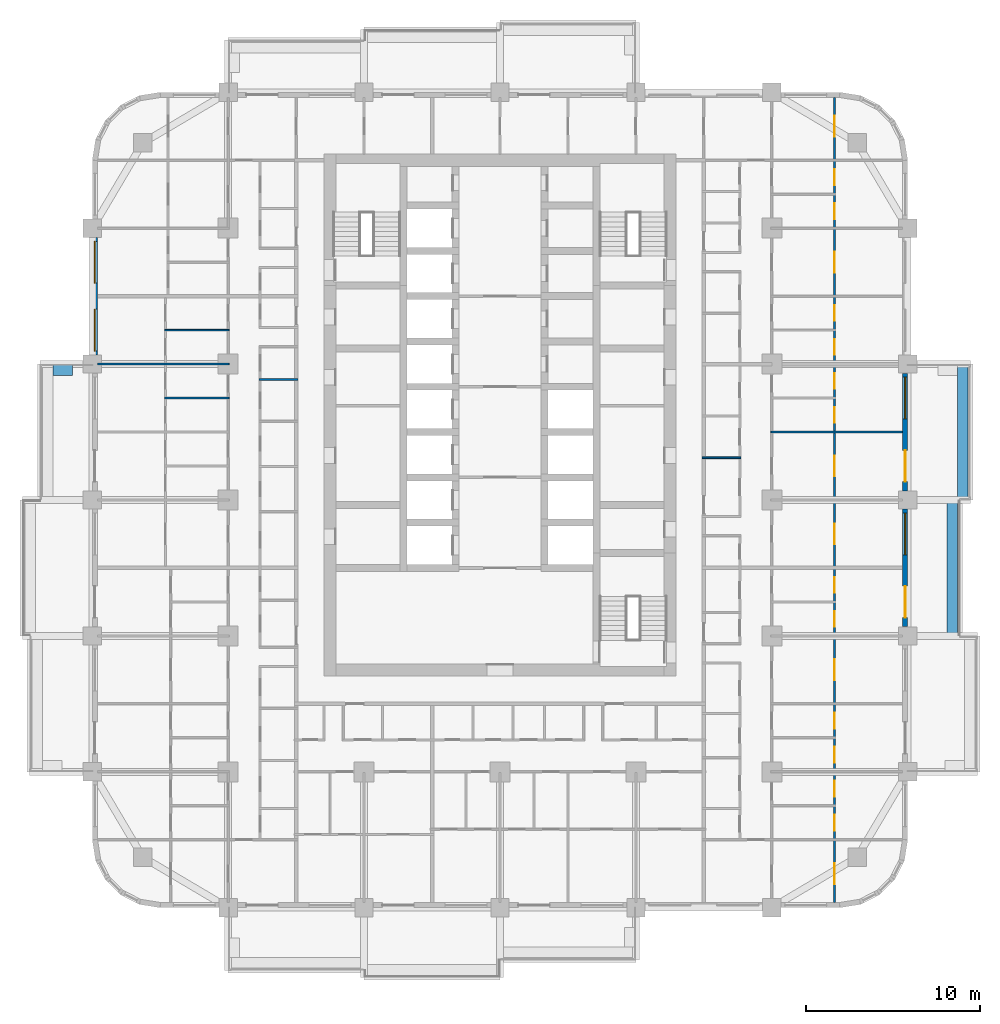
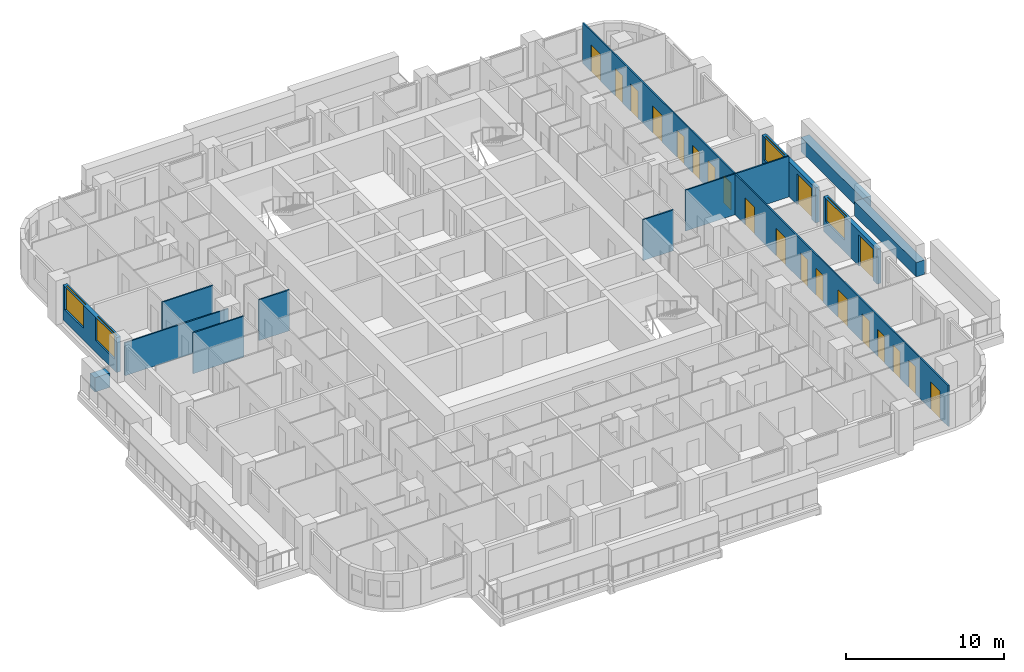
# One storey, part 9 of 17: 20 doors, 13 walls, 4 windows, 24 openings.
"""IFC4 building model written with IfcOpenShell, lengths in metres."""

from ifc_helpers import new_model, si_unit, direction, frame, frame_2d, origin, place, context, subcontext, project, spatial, rectangle, extrude, material, layer, layer_set, type_object, element, fill, save


model = new_model("IFC4")

# Units and contexts
model_context = context("Model", 3, precision=1e-05, world=origin(), true_north=direction((0.0, 1.0)))
body_context = subcontext(model_context, "Body", "Model", "MODEL_VIEW")
ifc_project = project(units=[si_unit("LENGTHUNIT", "METRE"), si_unit("AREAUNIT", "SQUARE_METRE"), si_unit("VOLUMEUNIT", "CUBIC_METRE"), si_unit("PLANEANGLEUNIT", "RADIAN"), si_unit("MASSUNIT", "GRAM", prefix="KILO")], contexts=[model_context])

# Site, building, storey
site_placement = place(None, origin())
site = spatial("IfcSite", under=ifc_project, at=site_placement, CompositionType="ELEMENT")
building_placement = place(site_placement, origin())
building = spatial("IfcBuilding", under=site, at=building_placement, Name="Ludao Terraces", CompositionType="ELEMENT")
storey_placement = place(building_placement, frame((0.0, 0.0, 54.60009765625)))
storey = spatial("IfcBuildingStorey", under=building, at=storey_placement, Name="L14", CompositionType="ELEMENT", Elevation=54.60009765625)

# Walls
ifc_material_1 = material(Name="Concrete C40", Category="concrete")
ifc_layer_1 = layer(ifc_material_1, 0.60009765625)
ifc_layer_set_1 = layer_set([ifc_layer_1], Name="ENV Planter trough 600")
wall_type_1 = type_object("IfcWallType", Name="ENV Planter trough 600", PredefinedType="USERDEFINED", material=ifc_layer_set_1)
for number, where, z_axis, x_axis, name in (
    (1, (110.949951171875, 57.199951171875, 0.0), (0.0, 0.0, 1.0), (0.0, 1.0, 0.0), "PL-L14-E2"),
    (2, (111.550048828125, 65.0, 0.0), (0.0, 0.0, 1.0), (0.0, 1.0, 0.0), "PL-L14-E3"),
):
    element("IfcWall", number, at=place(storey_placement, frame(where, z_axis=z_axis, x_axis=x_axis)), inside=storey, type_object=wall_type_1, Name=name, ObjectType="PLANTER", PredefinedType="USERDEFINED", context=body_context, shape_type="SweptSolid", body=[
        extrude(rectangle(XDim=7.800048828125, YDim=0.60009765625, at=frame_2d((3.89990234375, 0.0))), origin(), (0.0, 0.0, 1.0), 1.099853515625),
    ])
wall_1_placement = place(storey_placement, frame((59.35009765625, 72.449951171875, 0.0), z_axis=(0.0, 0.0, 1.0), x_axis=(1.0, 0.0, 0.0)))
element("IfcWall", 3, at=wall_1_placement, inside=storey, type_object=wall_type_1, Name="PL-L14-W3-SB", ObjectType="PLANTER", PredefinedType="USERDEFINED", context=body_context, shape_type="SweptSolid", body=[
    extrude(rectangle(XDim=1.099853515625, YDim=0.60009765625, at=frame_2d((0.5498046875, 0.0))), origin(), (0.0, 0.0, 1.0), 1.099853515625),
])

# Wall, openings, door, window
ifc_material_2 = material(Name="Granite cladding", Category="masonry")
ifc_layer_2 = layer(ifc_material_2, 0.0400390625, Category="stone")
ifc_material_3 = material(Name="Mineral wool")
ifc_layer_3 = layer(ifc_material_3, 0.06005859375)
ifc_layer_4 = layer(ifc_material_1, 0.199951171875, Category="concrete")
ifc_layer_set_2 = layer_set([ifc_layer_2, ifc_layer_3, ifc_layer_4], Name="ENV Stone-clad wall 300")
wall_type_2 = type_object("IfcWallType", Name="ENV Stone-clad wall 300", PredefinedType="SOLIDWALL", material=ifc_layer_set_2)
wall_2_placement = place(storey_placement, frame((108.25, 57.72509765625, 0.0), z_axis=(0.0, 0.0, 1.0), x_axis=(0.0, 1.0, 0.0)))
wall_2 = element("IfcWall", 4, at=wall_2_placement, inside=storey, type_object=wall_type_2, Name="EW-L14-E3", PredefinedType="SOLIDWALL", context=body_context, shape_type="SweptSolid", body=[
    extrude(rectangle(XDim=6.75, YDim=0.300048828125, at=frame_2d((3.375, 0.0))), origin(), (0.0, 0.0, 1.0), 2.699951171875),
])
opening_1_placement = place(wall_2_placement, frame((0.52490234375, 0.0, 0.0)))
opening_1 = element("IfcOpeningElement", 5, at=opening_1_placement, cuts=wall_2, Name="Opening BD", PredefinedType="OPENING", context=body_context, shape_type="SweptSolid", body=[
    extrude(rectangle(XDim=1.800048828125, YDim=2.39990234375, at=frame_2d((0.89990234375, 1.199951171875))), frame((0.0, 0.16015625, 0.0), z_axis=(0.0, -1.0, 0.0), x_axis=(1.0, 0.0, 0.0)), (0.0, 0.0, 1.0), 0.320068359375),
])
opening_2_placement = place(wall_2_placement, frame((4.125, 0.0, 0.89990234375)))
opening_2 = element("IfcOpeningElement", 6, at=opening_2_placement, cuts=wall_2, Name="Opening W1", PredefinedType="OPENING", context=body_context, shape_type="SweptSolid", body=[
    extrude(rectangle(XDim=2.39990234375, YDim=1.800048828125, at=frame_2d((1.199951171875, 0.89990234375))), frame((0.0, 0.16015625, 0.0), z_axis=(0.0, -1.0, 0.0), x_axis=(1.0, 0.0, 0.0)), (0.0, 0.0, 1.0), 0.320068359375),
])
ifc_material_4 = material(Name="Aluminium glazed door", Category="aluminium")
ifc_layer_5 = layer(ifc_material_4, 0.06005859375)
ifc_layer_set_3 = layer_set([ifc_layer_5], Name="ENV Balcony door BD 1800x2400")
door_type_1 = type_object("IfcDoorType", Name="ENV Balcony door BD 1800x2400", OperationType="DOUBLE_DOOR_SINGLE_SWING", PredefinedType="DOOR", material=ifc_layer_set_3)
door_1_placement = place(opening_1_placement, origin())
door_1 = element("IfcDoor", 7, at=door_1_placement, inside=storey, type_object=door_type_1, Name="BD-L14-E3-1", OperationType="DOUBLE_DOOR_SINGLE_SWING", OverallHeight=2.39990234375, OverallWidth=1.800048828125, PredefinedType="DOOR", context=body_context, shape_type="SweptSolid", body=[
    extrude(rectangle(XDim=1.800048828125, YDim=2.39990234375, at=frame_2d((0.89990234375, 1.199951171875))), frame((0.0, 0.02490234375, 0.0), z_axis=(0.0, -1.0, 0.0), x_axis=(1.0, 0.0, 0.0)), (0.0, 0.0, 1.0), 0.050048828125),
])
fill(opening_1, door_1)
ifc_material_5 = material(Name="Clear glass in aluminium frame", Category="aluminium")
ifc_layer_6 = layer(ifc_material_5, 0.06005859375)
ifc_layer_set_4 = layer_set([ifc_layer_6], Name="ENV Window W1 2400x1800")
window_type = type_object("IfcWindowType", Name="ENV Window W1 2400x1800", PartitioningType="DOUBLE_PANEL_VERTICAL", PredefinedType="WINDOW", material=ifc_layer_set_4)
window_1_placement = place(opening_2_placement, origin())
window_1 = element("IfcWindow", 8, at=window_1_placement, inside=storey, type_object=window_type, Name="W-L14-E3-2", OverallHeight=1.800048828125, OverallWidth=2.39990234375, PartitioningType="DOUBLE_PANEL_VERTICAL", PredefinedType="WINDOW", context=body_context, shape_type="SweptSolid", body=[
    extrude(rectangle(XDim=2.39990234375, YDim=1.800048828125, at=frame_2d((1.199951171875, 0.89990234375))), frame((0.0, 0.030029296875, 0.0), z_axis=(0.0, -1.0, 0.0), x_axis=(1.0, 0.0, 0.0)), (0.0, 0.0, 1.0), 0.06005859375),
])
fill(opening_2, window_1)

wall_3_placement = place(storey_placement, frame((108.25, 65.52490234375, 0.0), z_axis=(0.0, 0.0, 1.0), x_axis=(0.0, 1.0, 0.0)))
wall_3 = element("IfcWall", 9, at=wall_3_placement, inside=storey, type_object=wall_type_2, Name="EW-L14-E4", PredefinedType="SOLIDWALL", context=body_context, shape_type="SweptSolid", body=[
    extrude(rectangle(XDim=6.75, YDim=0.300048828125, at=frame_2d((3.375, 0.0))), origin(), (0.0, 0.0, 1.0), 2.699951171875),
])
opening_3_placement = place(wall_3_placement, frame((0.52490234375, 0.0, 0.0)))
opening_3 = element("IfcOpeningElement", 10, at=opening_3_placement, cuts=wall_3, Name="Opening BD", PredefinedType="OPENING", context=body_context, shape_type="SweptSolid", body=[
    extrude(rectangle(XDim=1.800048828125, YDim=2.39990234375, at=frame_2d((0.89990234375, 1.199951171875))), frame((0.0, 0.16015625, 0.0), z_axis=(0.0, -1.0, 0.0), x_axis=(1.0, 0.0, 0.0)), (0.0, 0.0, 1.0), 0.320068359375),
])
opening_4_placement = place(wall_3_placement, frame((4.125, 0.0, 0.89990234375)))
opening_4 = element("IfcOpeningElement", 11, at=opening_4_placement, cuts=wall_3, Name="Opening W1", PredefinedType="OPENING", context=body_context, shape_type="SweptSolid", body=[
    extrude(rectangle(XDim=2.39990234375, YDim=1.800048828125, at=frame_2d((1.199951171875, 0.89990234375))), frame((0.0, 0.16015625, 0.0), z_axis=(0.0, -1.0, 0.0), x_axis=(1.0, 0.0, 0.0)), (0.0, 0.0, 1.0), 0.320068359375),
])
door_2_placement = place(opening_3_placement, origin())
door_2 = element("IfcDoor", 12, at=door_2_placement, inside=storey, type_object=door_type_1, Name="BD-L14-E4-1", OperationType="DOUBLE_DOOR_SINGLE_SWING", OverallHeight=2.39990234375, OverallWidth=1.800048828125, PredefinedType="DOOR", context=body_context, shape_type="SweptSolid", body=[
    extrude(rectangle(XDim=1.800048828125, YDim=2.39990234375, at=frame_2d((0.89990234375, 1.199951171875))), frame((0.0, 0.02490234375, 0.0), z_axis=(0.0, -1.0, 0.0), x_axis=(1.0, 0.0, 0.0)), (0.0, 0.0, 1.0), 0.050048828125),
])
fill(opening_3, door_2)
window_2_placement = place(opening_4_placement, origin())
window_2 = element("IfcWindow", 13, at=window_2_placement, inside=storey, type_object=window_type, Name="W-L14-E4-2", OverallHeight=1.800048828125, OverallWidth=2.39990234375, PartitioningType="DOUBLE_PANEL_VERTICAL", PredefinedType="WINDOW", context=body_context, shape_type="SweptSolid", body=[
    extrude(rectangle(XDim=2.39990234375, YDim=1.800048828125, at=frame_2d((1.199951171875, 0.89990234375))), frame((0.0, 0.030029296875, 0.0), z_axis=(0.0, -1.0, 0.0), x_axis=(1.0, 0.0, 0.0)), (0.0, 0.0, 1.0), 0.06005859375),
])
fill(opening_4, window_2)

# Wall, openings, windows
wall_4_placement = place(storey_placement, frame((61.75, 73.324951171875, 0.0), z_axis=(0.0, 0.0, 1.0), x_axis=(0.0, 1.0, 0.0)))
wall_4 = element("IfcWall", 14, at=wall_4_placement, inside=storey, type_object=wall_type_2, Name="EW-L14-W5", PredefinedType="SOLIDWALL", context=body_context, shape_type="SweptSolid", body=[
    extrude(rectangle(XDim=6.75, YDim=0.300048828125, at=frame_2d((3.375, 0.0))), origin(), (0.0, 0.0, 1.0), 2.699951171875),
])
opening_5_placement = place(wall_4_placement, frame((0.22509765625, 0.0, 0.89990234375)))
opening_5 = element("IfcOpeningElement", 15, at=opening_5_placement, cuts=wall_4, Name="Opening W1", PredefinedType="OPENING", context=body_context, shape_type="SweptSolid", body=[
    extrude(rectangle(XDim=2.39990234375, YDim=1.800048828125, at=frame_2d((1.199951171875, 0.89990234375))), frame((0.0, 0.16015625, 0.0), z_axis=(0.0, -1.0, 0.0), x_axis=(1.0, 0.0, 0.0)), (0.0, 0.0, 1.0), 0.320068359375),
])
opening_6_placement = place(wall_4_placement, frame((4.125, 0.0, 0.89990234375)))
opening_6 = element("IfcOpeningElement", 16, at=opening_6_placement, cuts=wall_4, Name="Opening W1", PredefinedType="OPENING", context=body_context, shape_type="SweptSolid", body=[
    extrude(rectangle(XDim=2.39990234375, YDim=1.800048828125, at=frame_2d((1.199951171875, 0.89990234375))), frame((0.0, 0.16015625, 0.0), z_axis=(0.0, -1.0, 0.0), x_axis=(1.0, 0.0, 0.0)), (0.0, 0.0, 1.0), 0.320068359375),
])
window_3_placement = place(opening_5_placement, origin())
window_3 = element("IfcWindow", 17, at=window_3_placement, inside=storey, type_object=window_type, Name="W-L14-W5-1", OverallHeight=1.800048828125, OverallWidth=2.39990234375, PartitioningType="DOUBLE_PANEL_VERTICAL", PredefinedType="WINDOW", context=body_context, shape_type="SweptSolid", body=[
    extrude(rectangle(XDim=2.39990234375, YDim=1.800048828125, at=frame_2d((1.199951171875, 0.89990234375))), frame((0.0, 0.030029296875, 0.0), z_axis=(0.0, -1.0, 0.0), x_axis=(1.0, 0.0, 0.0)), (0.0, 0.0, 1.0), 0.06005859375),
])
fill(opening_5, window_3)
window_4_placement = place(opening_6_placement, origin())
window_4 = element("IfcWindow", 18, at=window_4_placement, inside=storey, type_object=window_type, Name="W-L14-W5-2", OverallHeight=1.800048828125, OverallWidth=2.39990234375, PartitioningType="DOUBLE_PANEL_VERTICAL", PredefinedType="WINDOW", context=body_context, shape_type="SweptSolid", body=[
    extrude(rectangle(XDim=2.39990234375, YDim=1.800048828125, at=frame_2d((1.199951171875, 0.89990234375))), frame((0.0, 0.030029296875, 0.0), z_axis=(0.0, -1.0, 0.0), x_axis=(1.0, 0.0, 0.0)), (0.0, 0.0, 1.0), 0.06005859375),
])
fill(opening_6, window_4)

# Walls
ifc_material_6 = material(Name="Gypsum plasterboard", Category="gypsum")
ifc_layer_7 = layer(ifc_material_6, 0.012451171875, Category="gypsum")
ifc_layer_8 = layer(ifc_material_3, 0.06005859375, Name="insulation")
ifc_material_7 = material(Name="Steel Q235", Category="steel")
ifc_layer_9 = layer(ifc_material_7, 0.014892578125, Name="stud")
ifc_layer_10 = layer(ifc_material_6, 0.012451171875, Category="gypsum")
ifc_layer_set_5 = layer_set([ifc_layer_7, ifc_layer_8, ifc_layer_9, ifc_layer_10], Name="INT Partition 100")
wall_type_3 = type_object("IfcWallType", Name="INT Partition 100", PredefinedType="PARTITIONING", material=ifc_layer_set_5)
wall_5_placement = place(storey_placement, frame((96.60009765625, 67.419921875, 0.0), z_axis=(0.0, 0.0, 1.0), x_axis=(1.0, 0.0, 0.0)))
element("IfcWall", 19, at=wall_5_placement, inside=storey, type_object=wall_type_3, Name="PW-L14-PW044", PredefinedType="PARTITIONING", context=body_context, shape_type="SweptSolid", body=[
    extrude(rectangle(XDim=2.219970703125, YDim=0.10009765625, at=frame_2d((1.10986328125, 0.0))), origin(), (0.0, 0.0, 1.0), 3.14990234375),
])
wall_6_placement = place(storey_placement, frame((100.550048828125, 68.89990234375, 0.0), z_axis=(0.0, 0.0, 1.0), x_axis=(1.0, 0.0, 0.0)))
element("IfcWall", 20, at=wall_6_placement, inside=storey, type_object=wall_type_3, Name="PW-L14-PW046", PredefinedType="PARTITIONING", context=body_context, shape_type="SweptSolid", body=[
    extrude(rectangle(XDim=7.550048828125, YDim=0.10009765625, at=frame_2d((3.77490234375, 0.0))), origin(), (0.0, 0.0, 1.0), 3.14990234375),
])
wall_7_placement = place(storey_placement, frame((65.75, 70.85009765625, 0.0), z_axis=(0.0, 0.0, 1.0), x_axis=(1.0, 0.0, 0.0)))
element("IfcWall", 21, at=wall_7_placement, inside=storey, type_object=wall_type_3, Name="PW-L14-PW051", PredefinedType="PARTITIONING", context=body_context, shape_type="SweptSolid", body=[
    extrude(rectangle(XDim=3.7001953125, YDim=0.10009765625, at=frame_2d((1.85009765625, 0.0))), origin(), (0.0, 0.0, 1.0), 3.14990234375),
])
wall_8_placement = place(storey_placement, frame((71.18017578125, 71.919921875, 0.0), z_axis=(0.0, 0.0, 1.0), x_axis=(1.0, 0.0, 0.0)))
element("IfcWall", 22, at=wall_8_placement, inside=storey, type_object=wall_type_3, Name="PW-L14-PW054", PredefinedType="PARTITIONING", context=body_context, shape_type="SweptSolid", body=[
    extrude(rectangle(XDim=2.219970703125, YDim=0.10009765625, at=frame_2d((1.10986328125, 0.0))), origin(), (0.0, 0.0, 1.0), 3.14990234375),
])
wall_9_placement = place(storey_placement, frame((61.900146484375, 72.800048828125, 0.0), z_axis=(0.0, 0.0, 1.0), x_axis=(1.0, 0.0, 0.0)))
element("IfcWall", 23, at=wall_9_placement, inside=storey, type_object=wall_type_3, Name="PW-L14-PW055", PredefinedType="PARTITIONING", context=body_context, shape_type="SweptSolid", body=[
    extrude(rectangle(XDim=7.550048828125, YDim=0.10009765625, at=frame_2d((3.77490234375, 0.0))), origin(), (0.0, 0.0, 1.0), 2.5498046875),
])
wall_10_placement = place(storey_placement, frame((65.75, 74.75, 0.0), z_axis=(0.0, 0.0, 1.0), x_axis=(1.0, 0.0, 0.0)))
element("IfcWall", 24, at=wall_10_placement, inside=storey, type_object=wall_type_3, Name="PW-L14-PW058", PredefinedType="PARTITIONING", context=body_context, shape_type="SweptSolid", body=[
    extrude(rectangle(XDim=3.7001953125, YDim=0.10009765625, at=frame_2d((1.85009765625, 0.0))), origin(), (0.0, 0.0, 1.0), 3.14990234375),
])

# Wall, openings, doors
wall_11_placement = place(storey_placement, frame((104.199951171875, 41.900146484375, 0.0), z_axis=(0.0, 0.0, 1.0), x_axis=(0.0, 1.0, 0.0)))
wall_11 = element("IfcWall", 25, at=wall_11_placement, inside=storey, type_object=wall_type_3, Name="PW-L14-PW121", PredefinedType="PARTITIONING", context=body_context, shape_type="SweptSolid", body=[
    extrude(rectangle(XDim=46.199951171875, YDim=0.10009765625, at=frame_2d((23.10009765625, 0.0))), origin(), (0.0, 0.0, 1.0), 3.14990234375),
])
opening_7_placement = place(wall_11_placement, frame((1.050048828125, 0.0, 0.0)))
opening_7 = element("IfcOpeningElement", 26, at=opening_7_placement, cuts=wall_11, Name="Opening R04-004", PredefinedType="OPENING", context=body_context, shape_type="SweptSolid", body=[
    extrude(rectangle(XDim=1.199951171875, YDim=2.10009765625, at=frame_2d((0.60009765625, 1.050048828125))), frame((0.0, 0.06005859375, 0.0), z_axis=(0.0, -1.0, 0.0), x_axis=(1.0, 0.0, 0.0)), (0.0, 0.0, 1.0), 0.1201171875),
])
opening_8_placement = place(wall_11_placement, frame((4.125, 0.0, 0.0)))
opening_8 = element("IfcOpeningElement", 27, at=opening_8_placement, cuts=wall_11, Name="Opening R04-019", PredefinedType="OPENING", context=body_context, shape_type="SweptSolid", body=[
    extrude(rectangle(XDim=0.89990234375, YDim=2.10009765625, at=frame_2d((0.449951171875, 1.050048828125))), frame((0.0, 0.06005859375, 0.0), z_axis=(0.0, -1.0, 0.0), x_axis=(1.0, 0.0, 0.0)), (0.0, 0.0, 1.0), 0.1201171875),
])
opening_9_placement = place(wall_11_placement, frame((6.074951171875, 0.0, 0.0)))
opening_9 = element("IfcOpeningElement", 28, at=opening_9_placement, cuts=wall_11, Name="Opening R04-023", PredefinedType="OPENING", context=body_context, shape_type="SweptSolid", body=[
    extrude(rectangle(XDim=0.89990234375, YDim=2.10009765625, at=frame_2d((0.449951171875, 1.050048828125))), frame((0.0, 0.06005859375, 0.0), z_axis=(0.0, -1.0, 0.0), x_axis=(1.0, 0.0, 0.0)), (0.0, 0.0, 1.0), 0.1201171875),
])
opening_10_placement = place(wall_11_placement, frame((8.02490234375, 0.0, 0.0)))
opening_10 = element("IfcOpeningElement", 29, at=opening_10_placement, cuts=wall_11, Name="Opening R04-033", PredefinedType="OPENING", context=body_context, shape_type="SweptSolid", body=[
    extrude(rectangle(XDim=0.89990234375, YDim=2.10009765625, at=frame_2d((0.449951171875, 1.050048828125))), frame((0.0, 0.06005859375, 0.0), z_axis=(0.0, -1.0, 0.0), x_axis=(1.0, 0.0, 0.0)), (0.0, 0.0, 1.0), 0.1201171875),
])
opening_11_placement = place(wall_11_placement, frame((9.97509765625, 0.0, 0.0)))
opening_11 = element("IfcOpeningElement", 30, at=opening_11_placement, cuts=wall_11, Name="Opening R04-048", PredefinedType="OPENING", context=body_context, shape_type="SweptSolid", body=[
    extrude(rectangle(XDim=0.89990234375, YDim=2.10009765625, at=frame_2d((0.449951171875, 1.050048828125))), frame((0.0, 0.06005859375, 0.0), z_axis=(0.0, -1.0, 0.0), x_axis=(1.0, 0.0, 0.0)), (0.0, 0.0, 1.0), 0.1201171875),
])
opening_12_placement = place(wall_11_placement, frame((12.75, 0.0, 0.0)))
opening_12 = element("IfcOpeningElement", 31, at=opening_12_placement, cuts=wall_11, Name="Opening R04-057", PredefinedType="OPENING", context=body_context, shape_type="SweptSolid", body=[
    extrude(rectangle(XDim=1.199951171875, YDim=2.10009765625, at=frame_2d((0.60009765625, 1.050048828125))), frame((0.0, 0.06005859375, 0.0), z_axis=(0.0, -1.0, 0.0), x_axis=(1.0, 0.0, 0.0)), (0.0, 0.0, 1.0), 0.1201171875),
])
opening_13_placement = place(wall_11_placement, frame((15.824951171875, 0.0, 0.0)))
opening_13 = element("IfcOpeningElement", 32, at=opening_13_placement, cuts=wall_11, Name="Opening R04-065", PredefinedType="OPENING", context=body_context, shape_type="SweptSolid", body=[
    extrude(rectangle(XDim=0.89990234375, YDim=2.10009765625, at=frame_2d((0.449951171875, 1.050048828125))), frame((0.0, 0.06005859375, 0.0), z_axis=(0.0, -1.0, 0.0), x_axis=(1.0, 0.0, 0.0)), (0.0, 0.0, 1.0), 0.1201171875),
])
opening_14_placement = place(wall_11_placement, frame((17.77490234375, 0.0, 0.0)))
opening_14 = element("IfcOpeningElement", 33, at=opening_14_placement, cuts=wall_11, Name="Opening R04-070", PredefinedType="OPENING", context=body_context, shape_type="SweptSolid", body=[
    extrude(rectangle(XDim=0.89990234375, YDim=2.10009765625, at=frame_2d((0.449951171875, 1.050048828125))), frame((0.0, 0.06005859375, 0.0), z_axis=(0.0, -1.0, 0.0), x_axis=(1.0, 0.0, 0.0)), (0.0, 0.0, 1.0), 0.1201171875),
])
opening_15_placement = place(wall_11_placement, frame((20.550048828125, 0.0, 0.0)))
opening_15 = element("IfcOpeningElement", 34, at=opening_15_placement, cuts=wall_11, Name="Opening R04-080", PredefinedType="OPENING", context=body_context, shape_type="SweptSolid", body=[
    extrude(rectangle(XDim=1.199951171875, YDim=2.10009765625, at=frame_2d((0.60009765625, 1.050048828125))), frame((0.0, 0.06005859375, 0.0), z_axis=(0.0, -1.0, 0.0), x_axis=(1.0, 0.0, 0.0)), (0.0, 0.0, 1.0), 0.1201171875),
])
opening_16_placement = place(wall_11_placement, frame((24.449951171875, 0.0, 0.0)))
opening_16 = element("IfcOpeningElement", 35, at=opening_16_placement, cuts=wall_11, Name="Opening R04-089", PredefinedType="OPENING", context=body_context, shape_type="SweptSolid", body=[
    extrude(rectangle(XDim=1.199951171875, YDim=2.10009765625, at=frame_2d((0.60009765625, 1.050048828125))), frame((0.0, 0.06005859375, 0.0), z_axis=(0.0, -1.0, 0.0), x_axis=(1.0, 0.0, 0.0)), (0.0, 0.0, 1.0), 0.1201171875),
])
opening_17_placement = place(wall_11_placement, frame((27.52490234375, 0.0, 0.0)))
opening_17 = element("IfcOpeningElement", 36, at=opening_17_placement, cuts=wall_11, Name="Opening R04-098", PredefinedType="OPENING", context=body_context, shape_type="SweptSolid", body=[
    extrude(rectangle(XDim=0.89990234375, YDim=2.10009765625, at=frame_2d((0.449951171875, 1.050048828125))), frame((0.0, 0.06005859375, 0.0), z_axis=(0.0, -1.0, 0.0), x_axis=(1.0, 0.0, 0.0)), (0.0, 0.0, 1.0), 0.1201171875),
])
opening_18_placement = place(wall_11_placement, frame((29.47509765625, 0.0, 0.0)))
opening_18 = element("IfcOpeningElement", 37, at=opening_18_placement, cuts=wall_11, Name="Opening R04-106", PredefinedType="OPENING", context=body_context, shape_type="SweptSolid", body=[
    extrude(rectangle(XDim=0.89990234375, YDim=2.10009765625, at=frame_2d((0.449951171875, 1.050048828125))), frame((0.0, 0.06005859375, 0.0), z_axis=(0.0, -1.0, 0.0), x_axis=(1.0, 0.0, 0.0)), (0.0, 0.0, 1.0), 0.1201171875),
])
opening_19_placement = place(wall_11_placement, frame((31.425048828125, 0.0, 0.0)))
opening_19 = element("IfcOpeningElement", 38, at=opening_19_placement, cuts=wall_11, Name="Opening R04-113", PredefinedType="OPENING", context=body_context, shape_type="SweptSolid", body=[
    extrude(rectangle(XDim=0.89990234375, YDim=2.10009765625, at=frame_2d((0.449951171875, 1.050048828125))), frame((0.0, 0.06005859375, 0.0), z_axis=(0.0, -1.0, 0.0), x_axis=(1.0, 0.0, 0.0)), (0.0, 0.0, 1.0), 0.1201171875),
])
opening_20_placement = place(wall_11_placement, frame((33.375, 0.0, 0.0)))
opening_20 = element("IfcOpeningElement", 39, at=opening_20_placement, cuts=wall_11, Name="Opening R04-123", PredefinedType="OPENING", context=body_context, shape_type="SweptSolid", body=[
    extrude(rectangle(XDim=0.89990234375, YDim=2.10009765625, at=frame_2d((0.449951171875, 1.050048828125))), frame((0.0, 0.06005859375, 0.0), z_axis=(0.0, -1.0, 0.0), x_axis=(1.0, 0.0, 0.0)), (0.0, 0.0, 1.0), 0.1201171875),
])
opening_21_placement = place(wall_11_placement, frame((36.14990234375, 0.0, 0.0)))
opening_21 = element("IfcOpeningElement", 40, at=opening_21_placement, cuts=wall_11, Name="Opening R04-134", PredefinedType="OPENING", context=body_context, shape_type="SweptSolid", body=[
    extrude(rectangle(XDim=1.199951171875, YDim=2.10009765625, at=frame_2d((0.60009765625, 1.050048828125))), frame((0.0, 0.06005859375, 0.0), z_axis=(0.0, -1.0, 0.0), x_axis=(1.0, 0.0, 0.0)), (0.0, 0.0, 1.0), 0.1201171875),
])
opening_22_placement = place(wall_11_placement, frame((39.22509765625, 0.0, 0.0)))
opening_22 = element("IfcOpeningElement", 41, at=opening_22_placement, cuts=wall_11, Name="Opening R04-143", PredefinedType="OPENING", context=body_context, shape_type="SweptSolid", body=[
    extrude(rectangle(XDim=0.89990234375, YDim=2.10009765625, at=frame_2d((0.449951171875, 1.050048828125))), frame((0.0, 0.06005859375, 0.0), z_axis=(0.0, -1.0, 0.0), x_axis=(1.0, 0.0, 0.0)), (0.0, 0.0, 1.0), 0.1201171875),
])
opening_23_placement = place(wall_11_placement, frame((41.175048828125, 0.0, 0.0)))
opening_23 = element("IfcOpeningElement", 42, at=opening_23_placement, cuts=wall_11, Name="Opening R04-151", PredefinedType="OPENING", context=body_context, shape_type="SweptSolid", body=[
    extrude(rectangle(XDim=0.89990234375, YDim=2.10009765625, at=frame_2d((0.449951171875, 1.050048828125))), frame((0.0, 0.06005859375, 0.0), z_axis=(0.0, -1.0, 0.0), x_axis=(1.0, 0.0, 0.0)), (0.0, 0.0, 1.0), 0.1201171875),
])
opening_24_placement = place(wall_11_placement, frame((43.949951171875, 0.0, 0.0)))
opening_24 = element("IfcOpeningElement", 43, at=opening_24_placement, cuts=wall_11, Name="Opening R04-164", PredefinedType="OPENING", context=body_context, shape_type="SweptSolid", body=[
    extrude(rectangle(XDim=1.199951171875, YDim=2.10009765625, at=frame_2d((0.60009765625, 1.050048828125))), frame((0.0, 0.06005859375, 0.0), z_axis=(0.0, -1.0, 0.0), x_axis=(1.0, 0.0, 0.0)), (0.0, 0.0, 1.0), 0.1201171875),
])
ifc_material_8 = material(Name="Timber door leaf", Category="wood")
door_type_2 = type_object("IfcDoorType", Name="INT Bathroom door 900", OperationType="SINGLE_SWING_LEFT", PredefinedType="DOOR", material=ifc_material_8)
door_3_placement = place(opening_8_placement, origin())
door_3 = element("IfcDoor", 44, at=door_3_placement, inside=storey, type_object=door_type_2, Name="DOOR 019", OperationType="SINGLE_SWING_LEFT", OverallHeight=2.10009765625, OverallWidth=0.89990234375, PredefinedType="DOOR", context=body_context, shape_type="SweptSolid", body=[
    extrude(rectangle(XDim=0.89990234375, YDim=2.10009765625, at=frame_2d((0.449951171875, 1.050048828125))), frame((0.0, 0.02490234375, 0.0), z_axis=(0.0, -1.0, 0.0), x_axis=(1.0, 0.0, 0.0)), (0.0, 0.0, 1.0), 0.050048828125),
])
fill(opening_8, door_3)
door_4_placement = place(opening_10_placement, origin())
door_4 = element("IfcDoor", 45, at=door_4_placement, inside=storey, type_object=door_type_2, Name="DOOR 033", OperationType="SINGLE_SWING_LEFT", OverallHeight=2.10009765625, OverallWidth=0.89990234375, PredefinedType="DOOR", context=body_context, shape_type="SweptSolid", body=[
    extrude(rectangle(XDim=0.89990234375, YDim=2.10009765625, at=frame_2d((0.449951171875, 1.050048828125))), frame((0.0, 0.02490234375, 0.0), z_axis=(0.0, -1.0, 0.0), x_axis=(1.0, 0.0, 0.0)), (0.0, 0.0, 1.0), 0.050048828125),
])
fill(opening_10, door_4)
door_5_placement = place(opening_13_placement, origin())
door_5 = element("IfcDoor", 46, at=door_5_placement, inside=storey, type_object=door_type_2, Name="DOOR 065", OperationType="SINGLE_SWING_RIGHT", OverallHeight=2.10009765625, OverallWidth=0.89990234375, PredefinedType="DOOR", context=body_context, shape_type="SweptSolid", body=[
    extrude(rectangle(XDim=0.89990234375, YDim=2.10009765625, at=frame_2d((0.449951171875, 1.050048828125))), frame((0.0, 0.02490234375, 0.0), z_axis=(0.0, -1.0, 0.0), x_axis=(1.0, 0.0, 0.0)), (0.0, 0.0, 1.0), 0.050048828125),
])
fill(opening_13, door_5)
door_6_placement = place(opening_17_placement, origin())
door_6 = element("IfcDoor", 47, at=door_6_placement, inside=storey, type_object=door_type_2, Name="DOOR 098", OperationType="SINGLE_SWING_LEFT", OverallHeight=2.10009765625, OverallWidth=0.89990234375, PredefinedType="DOOR", context=body_context, shape_type="SweptSolid", body=[
    extrude(rectangle(XDim=0.89990234375, YDim=2.10009765625, at=frame_2d((0.449951171875, 1.050048828125))), frame((0.0, 0.02490234375, 0.0), z_axis=(0.0, -1.0, 0.0), x_axis=(1.0, 0.0, 0.0)), (0.0, 0.0, 1.0), 0.050048828125),
])
fill(opening_17, door_6)
door_7_placement = place(opening_19_placement, origin())
door_7 = element("IfcDoor", 48, at=door_7_placement, inside=storey, type_object=door_type_2, Name="DOOR 113", OperationType="SINGLE_SWING_LEFT", OverallHeight=2.10009765625, OverallWidth=0.89990234375, PredefinedType="DOOR", context=body_context, shape_type="SweptSolid", body=[
    extrude(rectangle(XDim=0.89990234375, YDim=2.10009765625, at=frame_2d((0.449951171875, 1.050048828125))), frame((0.0, 0.02490234375, 0.0), z_axis=(0.0, -1.0, 0.0), x_axis=(1.0, 0.0, 0.0)), (0.0, 0.0, 1.0), 0.050048828125),
])
fill(opening_19, door_7)
door_8_placement = place(opening_22_placement, origin())
door_8 = element("IfcDoor", 49, at=door_8_placement, inside=storey, type_object=door_type_2, Name="DOOR 143", OperationType="SINGLE_SWING_LEFT", OverallHeight=2.10009765625, OverallWidth=0.89990234375, PredefinedType="DOOR", context=body_context, shape_type="SweptSolid", body=[
    extrude(rectangle(XDim=0.89990234375, YDim=2.10009765625, at=frame_2d((0.449951171875, 1.050048828125))), frame((0.0, 0.02490234375, 0.0), z_axis=(0.0, -1.0, 0.0), x_axis=(1.0, 0.0, 0.0)), (0.0, 0.0, 1.0), 0.050048828125),
])
fill(opening_22, door_8)
door_type_3 = type_object("IfcDoorType", Name="INT Double door 1200", OperationType="DOUBLE_DOOR_SINGLE_SWING", PredefinedType="DOOR", material=ifc_material_8)
door_9_placement = place(opening_7_placement, origin())
door_9 = element("IfcDoor", 50, at=door_9_placement, inside=storey, type_object=door_type_3, Name="DOOR 004", OperationType="DOUBLE_DOOR_SINGLE_SWING", OverallHeight=2.10009765625, OverallWidth=1.199951171875, PredefinedType="DOOR", context=body_context, shape_type="SweptSolid", body=[
    extrude(rectangle(XDim=1.199951171875, YDim=2.10009765625, at=frame_2d((0.60009765625, 1.050048828125))), frame((0.0, 0.02490234375, 0.0), z_axis=(0.0, -1.0, 0.0), x_axis=(1.0, 0.0, 0.0)), (0.0, 0.0, 1.0), 0.050048828125),
])
fill(opening_7, door_9)
door_10_placement = place(opening_12_placement, origin())
door_10 = element("IfcDoor", 51, at=door_10_placement, inside=storey, type_object=door_type_3, Name="DOOR 057", OperationType="DOUBLE_DOOR_SINGLE_SWING", OverallHeight=2.10009765625, OverallWidth=1.199951171875, PredefinedType="DOOR", context=body_context, shape_type="SweptSolid", body=[
    extrude(rectangle(XDim=1.199951171875, YDim=2.10009765625, at=frame_2d((0.60009765625, 1.050048828125))), frame((0.0, 0.02490234375, 0.0), z_axis=(0.0, -1.0, 0.0), x_axis=(1.0, 0.0, 0.0)), (0.0, 0.0, 1.0), 0.050048828125),
])
fill(opening_12, door_10)
door_11_placement = place(opening_15_placement, origin())
door_11 = element("IfcDoor", 52, at=door_11_placement, inside=storey, type_object=door_type_3, Name="DOOR 080", OperationType="DOUBLE_DOOR_SINGLE_SWING", OverallHeight=2.10009765625, OverallWidth=1.199951171875, PredefinedType="DOOR", context=body_context, shape_type="SweptSolid", body=[
    extrude(rectangle(XDim=1.199951171875, YDim=2.10009765625, at=frame_2d((0.60009765625, 1.050048828125))), frame((0.0, 0.02490234375, 0.0), z_axis=(0.0, -1.0, 0.0), x_axis=(1.0, 0.0, 0.0)), (0.0, 0.0, 1.0), 0.050048828125),
])
fill(opening_15, door_11)
door_12_placement = place(opening_16_placement, origin())
door_12 = element("IfcDoor", 53, at=door_12_placement, inside=storey, type_object=door_type_3, Name="DOOR 089", OperationType="DOUBLE_DOOR_SINGLE_SWING", OverallHeight=2.10009765625, OverallWidth=1.199951171875, PredefinedType="DOOR", context=body_context, shape_type="SweptSolid", body=[
    extrude(rectangle(XDim=1.199951171875, YDim=2.10009765625, at=frame_2d((0.60009765625, 1.050048828125))), frame((0.0, 0.02490234375, 0.0), z_axis=(0.0, -1.0, 0.0), x_axis=(1.0, 0.0, 0.0)), (0.0, 0.0, 1.0), 0.050048828125),
])
fill(opening_16, door_12)
door_13_placement = place(opening_21_placement, origin())
door_13 = element("IfcDoor", 54, at=door_13_placement, inside=storey, type_object=door_type_3, Name="DOOR 134", OperationType="DOUBLE_DOOR_SINGLE_SWING", OverallHeight=2.10009765625, OverallWidth=1.199951171875, PredefinedType="DOOR", context=body_context, shape_type="SweptSolid", body=[
    extrude(rectangle(XDim=1.199951171875, YDim=2.10009765625, at=frame_2d((0.60009765625, 1.050048828125))), frame((0.0, 0.02490234375, 0.0), z_axis=(0.0, -1.0, 0.0), x_axis=(1.0, 0.0, 0.0)), (0.0, 0.0, 1.0), 0.050048828125),
])
fill(opening_21, door_13)
door_14_placement = place(opening_24_placement, origin())
door_14 = element("IfcDoor", 55, at=door_14_placement, inside=storey, type_object=door_type_3, Name="DOOR 164", OperationType="DOUBLE_DOOR_SINGLE_SWING", OverallHeight=2.10009765625, OverallWidth=1.199951171875, PredefinedType="DOOR", context=body_context, shape_type="SweptSolid", body=[
    extrude(rectangle(XDim=1.199951171875, YDim=2.10009765625, at=frame_2d((0.60009765625, 1.050048828125))), frame((0.0, 0.02490234375, 0.0), z_axis=(0.0, -1.0, 0.0), x_axis=(1.0, 0.0, 0.0)), (0.0, 0.0, 1.0), 0.050048828125),
])
fill(opening_24, door_14)
door_type_4 = type_object("IfcDoorType", Name="INT Room door 900", OperationType="SINGLE_SWING_LEFT", PredefinedType="DOOR", material=ifc_material_8)
door_15_placement = place(opening_9_placement, origin())
door_15 = element("IfcDoor", 56, at=door_15_placement, inside=storey, type_object=door_type_4, Name="DOOR 023", OperationType="SINGLE_SWING_RIGHT", OverallHeight=2.10009765625, OverallWidth=0.89990234375, PredefinedType="DOOR", context=body_context, shape_type="SweptSolid", body=[
    extrude(rectangle(XDim=0.89990234375, YDim=2.10009765625, at=frame_2d((0.449951171875, 1.050048828125))), frame((0.0, 0.02490234375, 0.0), z_axis=(0.0, -1.0, 0.0), x_axis=(1.0, 0.0, 0.0)), (0.0, 0.0, 1.0), 0.050048828125),
])
fill(opening_9, door_15)
door_16_placement = place(opening_11_placement, origin())
door_16 = element("IfcDoor", 57, at=door_16_placement, inside=storey, type_object=door_type_4, Name="DOOR 048", OperationType="SINGLE_SWING_LEFT", OverallHeight=2.10009765625, OverallWidth=0.89990234375, PredefinedType="DOOR", context=body_context, shape_type="SweptSolid", body=[
    extrude(rectangle(XDim=0.89990234375, YDim=2.10009765625, at=frame_2d((0.449951171875, 1.050048828125))), frame((0.0, 0.02490234375, 0.0), z_axis=(0.0, -1.0, 0.0), x_axis=(1.0, 0.0, 0.0)), (0.0, 0.0, 1.0), 0.050048828125),
])
fill(opening_11, door_16)
door_17_placement = place(opening_14_placement, origin())
door_17 = element("IfcDoor", 58, at=door_17_placement, inside=storey, type_object=door_type_4, Name="DOOR 070", OperationType="SINGLE_SWING_RIGHT", OverallHeight=2.10009765625, OverallWidth=0.89990234375, PredefinedType="DOOR", context=body_context, shape_type="SweptSolid", body=[
    extrude(rectangle(XDim=0.89990234375, YDim=2.10009765625, at=frame_2d((0.449951171875, 1.050048828125))), frame((0.0, 0.02490234375, 0.0), z_axis=(0.0, -1.0, 0.0), x_axis=(1.0, 0.0, 0.0)), (0.0, 0.0, 1.0), 0.050048828125),
])
fill(opening_14, door_17)
door_18_placement = place(opening_18_placement, origin())
door_18 = element("IfcDoor", 59, at=door_18_placement, inside=storey, type_object=door_type_4, Name="DOOR 106", OperationType="SINGLE_SWING_RIGHT", OverallHeight=2.10009765625, OverallWidth=0.89990234375, PredefinedType="DOOR", context=body_context, shape_type="SweptSolid", body=[
    extrude(rectangle(XDim=0.89990234375, YDim=2.10009765625, at=frame_2d((0.449951171875, 1.050048828125))), frame((0.0, 0.02490234375, 0.0), z_axis=(0.0, -1.0, 0.0), x_axis=(1.0, 0.0, 0.0)), (0.0, 0.0, 1.0), 0.050048828125),
])
fill(opening_18, door_18)
door_19_placement = place(opening_20_placement, origin())
door_19 = element("IfcDoor", 60, at=door_19_placement, inside=storey, type_object=door_type_4, Name="DOOR 123", OperationType="SINGLE_SWING_RIGHT", OverallHeight=2.10009765625, OverallWidth=0.89990234375, PredefinedType="DOOR", context=body_context, shape_type="SweptSolid", body=[
    extrude(rectangle(XDim=0.89990234375, YDim=2.10009765625, at=frame_2d((0.449951171875, 1.050048828125))), frame((0.0, 0.02490234375, 0.0), z_axis=(0.0, -1.0, 0.0), x_axis=(1.0, 0.0, 0.0)), (0.0, 0.0, 1.0), 0.050048828125),
])
fill(opening_20, door_19)
door_20_placement = place(opening_23_placement, origin())
door_20 = element("IfcDoor", 61, at=door_20_placement, inside=storey, type_object=door_type_4, Name="DOOR 151", OperationType="SINGLE_SWING_LEFT", OverallHeight=2.10009765625, OverallWidth=0.89990234375, PredefinedType="DOOR", context=body_context, shape_type="SweptSolid", body=[
    extrude(rectangle(XDim=0.89990234375, YDim=2.10009765625, at=frame_2d((0.449951171875, 1.050048828125))), frame((0.0, 0.02490234375, 0.0), z_axis=(0.0, -1.0, 0.0), x_axis=(1.0, 0.0, 0.0)), (0.0, 0.0, 1.0), 0.050048828125),
])
fill(opening_23, door_20)

save(model, "model.ifc")
